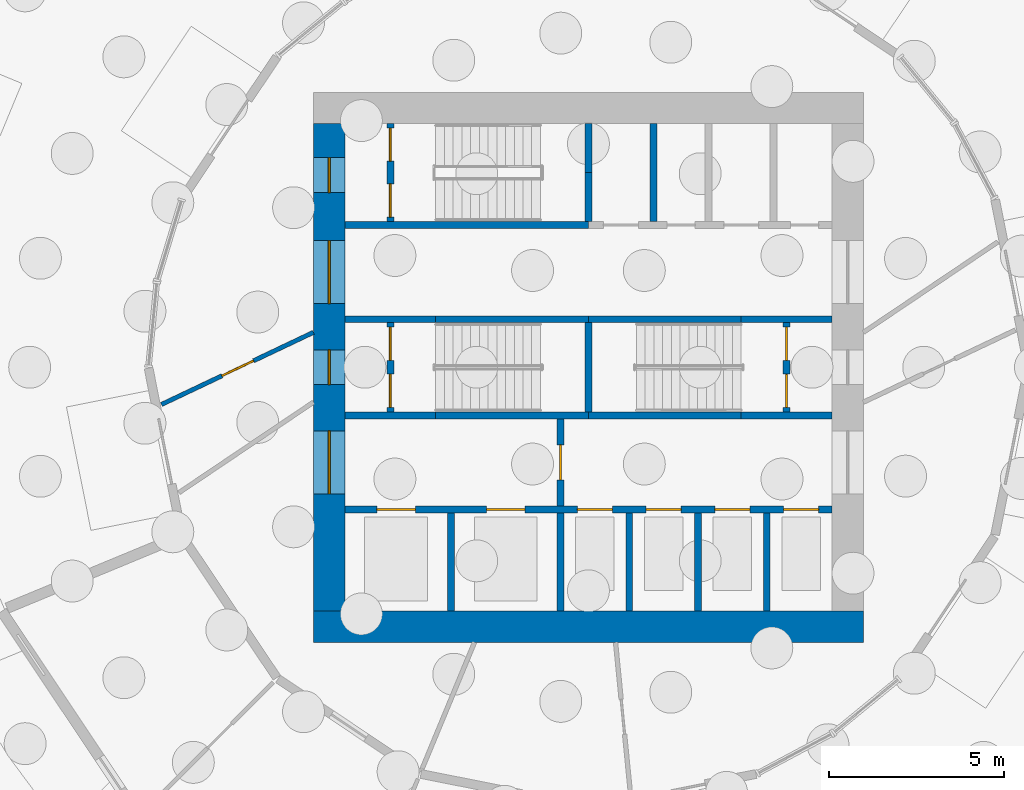
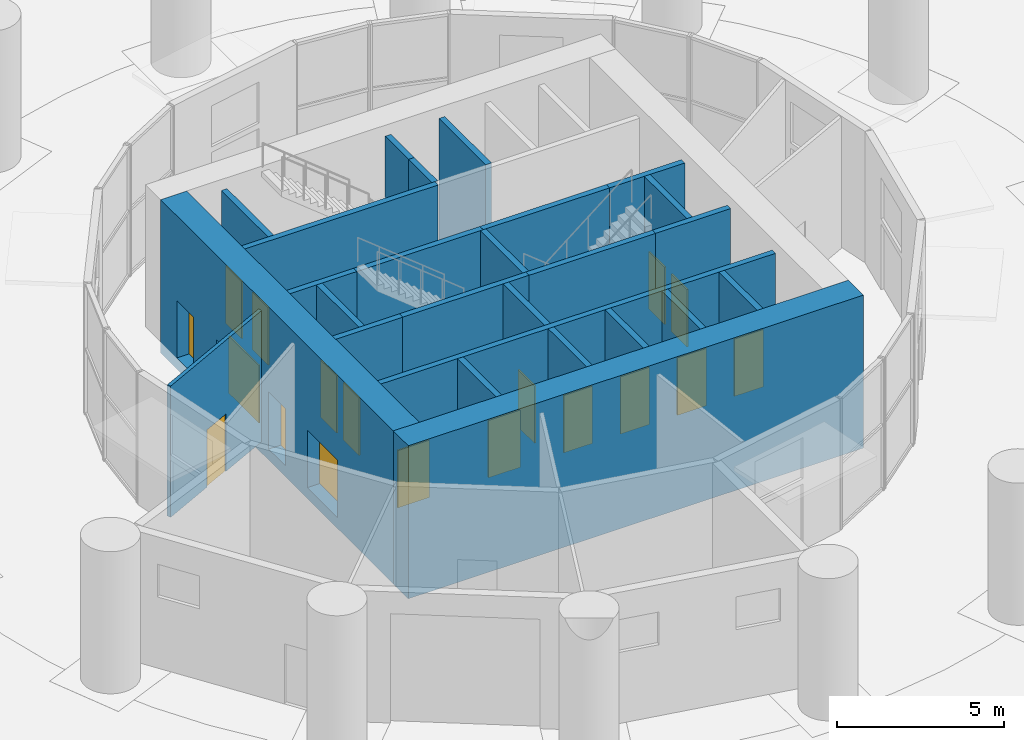
# One storey, part 6 of 10: 26 walls, 18 doors, 18 openings.
"""IFC4 building model written with IfcOpenShell, lengths in metres."""

from ifc_helpers import new_model, si_unit, direction, frame, frame_2d, origin, place, context, subcontext, project, spatial, rectangle, extrude, material, layer, layer_set, type_object, element, fill, save


model = new_model("IFC4")

# Units and contexts
model_context = context("Model", 3, precision=1e-05, world=origin(), true_north=direction((0.0, 1.0)))
body_context = subcontext(model_context, "Body", "Model", "MODEL_VIEW")
ifc_project = project(units=[si_unit("LENGTHUNIT", "METRE"), si_unit("AREAUNIT", "SQUARE_METRE"), si_unit("VOLUMEUNIT", "CUBIC_METRE"), si_unit("PLANEANGLEUNIT", "RADIAN"), si_unit("MASSUNIT", "GRAM", prefix="KILO")], contexts=[model_context])

# Site, building, storey
site_placement = place(None, origin())
site = spatial("IfcSite", under=ifc_project, at=site_placement, CompositionType="ELEMENT")
building_placement = place(site_placement, origin())
building = spatial("IfcBuilding", under=site, at=building_placement, Name="Polderwave Tower", CompositionType="ELEMENT")
storey_placement = place(building_placement, origin())
storey = spatial("IfcBuildingStorey", under=building, at=storey_placement, Name="L00", CompositionType="ELEMENT", Elevation=0.0)

# Wall
ifc_material_1 = material(Name="Concrete C80/95", Category="concrete")
ifc_layer_1 = layer(ifc_material_1, 0.89990234375)
ifc_layer_set_1 = layer_set([ifc_layer_1], Name="CORE WALL 900 C80/95")
wall_type_1 = type_object("IfcWallType", Name="CORE WALL 900 C80/95", PredefinedType="SHEAR", material=ifc_layer_set_1)
wall_1_placement = place(storey_placement, frame((-7.8740234375, -7.424072265625, -0.39990234375), z_axis=(0.0, 0.0, 1.0), x_axis=(1.0, 0.0, 0.0)))
element("IfcWall", 1, at=wall_1_placement, inside=storey, type_object=wall_type_1, Name="ST-CORE-L00-S", PredefinedType="SHEAR", context=body_context, shape_type="SweptSolid", body=[
    extrude(rectangle(XDim=15.748046875, YDim=0.89990234375, at=frame_2d((7.8740234375, 0.0))), origin(), (0.0, 0.0, 1.0), 5.599853515625),
])

# Wall, openings, doors
wall_2_placement = place(storey_placement, frame((-7.424072265625, -6.97412109375, -0.39990234375), z_axis=(0.0, 0.0, 1.0), x_axis=(0.0, 1.0, 0.0)))
wall_2 = element("IfcWall", 2, at=wall_2_placement, inside=storey, type_object=wall_type_1, Name="ST-CORE-L00-W", PredefinedType="SHEAR", context=body_context, shape_type="SweptSolid", body=[
    extrude(rectangle(XDim=13.9482421875, YDim=0.89990234375, at=frame_2d((6.97412109375, 0.0))), origin(), (0.0, 0.0, 1.0), 5.599853515625),
])
opening_1_placement = place(wall_2_placement, frame((6.47412109375, 0.0, 0.39990234375)))
opening_1 = element("IfcOpeningElement", 3, at=opening_1_placement, cuts=wall_2, Name="Opening L00-D18", PredefinedType="OPENING", context=body_context, shape_type="SweptSolid", body=[
    extrude(rectangle(XDim=1.0, YDim=2.10009765625, at=frame_2d((0.5, 1.050048828125))), frame((0.0, 0.4599609375, 0.0), z_axis=(0.0, -1.0, 0.0), x_axis=(1.0, 0.0, 0.0)), (0.0, 0.0, 1.0), 0.919921875),
])
opening_2_placement = place(wall_2_placement, frame((3.349609375, 0.0, 0.39990234375)))
opening_2 = element("IfcOpeningElement", 4, at=opening_2_placement, cuts=wall_2, Name="Opening L00-D19", PredefinedType="OPENING", context=body_context, shape_type="SweptSolid", body=[
    extrude(rectangle(XDim=1.800048828125, YDim=2.10009765625, at=frame_2d((0.89990234375, 1.050048828125))), frame((0.0, 0.4599609375, 0.0), z_axis=(0.0, -1.0, 0.0), x_axis=(1.0, 0.0, 0.0)), (0.0, 0.0, 1.0), 0.919921875),
])
opening_3_placement = place(wall_2_placement, frame((8.798583984375, 0.0, 0.39990234375)))
opening_3 = element("IfcOpeningElement", 5, at=opening_3_placement, cuts=wall_2, Name="Opening L00-D20", PredefinedType="OPENING", context=body_context, shape_type="SweptSolid", body=[
    extrude(rectangle(XDim=1.800048828125, YDim=2.10009765625, at=frame_2d((0.89990234375, 1.050048828125))), frame((0.0, 0.4599609375, 0.0), z_axis=(0.0, -1.0, 0.0), x_axis=(1.0, 0.0, 0.0)), (0.0, 0.0, 1.0), 0.919921875),
])
opening_4_placement = place(wall_2_placement, frame((11.97412109375, 0.0, 0.39990234375)))
opening_4 = element("IfcOpeningElement", 6, at=opening_4_placement, cuts=wall_2, Name="Opening L00-D21", PredefinedType="OPENING", context=body_context, shape_type="SweptSolid", body=[
    extrude(rectangle(XDim=1.0, YDim=2.10009765625, at=frame_2d((0.5, 1.050048828125))), frame((0.0, 0.4599609375, 0.0), z_axis=(0.0, -1.0, 0.0), x_axis=(1.0, 0.0, 0.0)), (0.0, 0.0, 1.0), 0.919921875),
])
ifc_material_2 = material(Name="Steel fire door", Category="steel")
door_type_1 = type_object("IfcDoorType", Name="Lobby entry door pair 1800", OperationType="DOUBLE_DOOR_SINGLE_SWING", PredefinedType="DOOR", material=ifc_material_2)
door_1_placement = place(opening_2_placement, origin())
door_1 = element("IfcDoor", 7, at=door_1_placement, inside=storey, type_object=door_type_1, Name="Fire-fighting lobby entry door", OperationType="DOUBLE_DOOR_SINGLE_SWING", OverallHeight=2.10009765625, OverallWidth=1.800048828125, PredefinedType="DOOR", context=body_context, shape_type="SweptSolid", body=[
    extrude(rectangle(XDim=1.800048828125, YDim=2.10009765625, at=frame_2d((0.89990234375, 1.050048828125))), frame((0.0, 0.02490234375, 0.0), z_axis=(0.0, -1.0, 0.0), x_axis=(1.0, 0.0, 0.0)), (0.0, 0.0, 1.0), 0.050048828125),
])
fill(opening_2, door_1)
door_2_placement = place(opening_3_placement, origin())
door_2 = element("IfcDoor", 8, at=door_2_placement, inside=storey, type_object=door_type_1, Name="North lobby entry door", OperationType="DOUBLE_DOOR_SINGLE_SWING", OverallHeight=2.10009765625, OverallWidth=1.800048828125, PredefinedType="DOOR", context=body_context, shape_type="SweptSolid", body=[
    extrude(rectangle(XDim=1.800048828125, YDim=2.10009765625, at=frame_2d((0.89990234375, 1.050048828125))), frame((0.0, 0.02490234375, 0.0), z_axis=(0.0, -1.0, 0.0), x_axis=(1.0, 0.0, 0.0)), (0.0, 0.0, 1.0), 0.050048828125),
])
fill(opening_3, door_2)
door_type_2 = type_object("IfcDoorType", Name="Stair door 1000", OperationType="NOTDEFINED", PredefinedType="DOOR", material=ifc_material_2)
door_3_placement = place(opening_1_placement, origin())
door_3 = element("IfcDoor", 9, at=door_3_placement, inside=storey, type_object=door_type_2, Name="Stair A entry door", OperationType="SINGLE_SWING_RIGHT", OverallHeight=2.10009765625, OverallWidth=1.0, PredefinedType="DOOR", context=body_context, shape_type="SweptSolid", body=[
    extrude(rectangle(XDim=1.0, YDim=2.10009765625, at=frame_2d((0.5, 1.050048828125))), frame((0.0, 0.02490234375, 0.0), z_axis=(0.0, -1.0, 0.0), x_axis=(1.0, 0.0, 0.0)), (0.0, 0.0, 1.0), 0.050048828125),
])
fill(opening_1, door_3)
door_4_placement = place(opening_4_placement, origin())
door_4 = element("IfcDoor", 10, at=door_4_placement, inside=storey, type_object=door_type_2, Name="Stair C entry door", OperationType="SINGLE_SWING_RIGHT", OverallHeight=2.10009765625, OverallWidth=1.0, PredefinedType="DOOR", context=body_context, shape_type="SweptSolid", body=[
    extrude(rectangle(XDim=1.0, YDim=2.10009765625, at=frame_2d((0.5, 1.050048828125))), frame((0.0, 0.02490234375, 0.0), z_axis=(0.0, -1.0, 0.0), x_axis=(1.0, 0.0, 0.0)), (0.0, 0.0, 1.0), 0.050048828125),
])
fill(opening_4, door_4)

# Wall, opening, door
ifc_material_3 = material(Name="Gypsum board partition")
ifc_layer_2 = layer(ifc_material_3, 0.199951171875)
ifc_layer_set_2 = layer_set([ifc_layer_2], Name="Core room partition 200")
wall_type_2 = type_object("IfcWallType", Name="Core room partition 200", PredefinedType="PARTITIONING", material=ifc_layer_set_2)
wall_3_placement = place(storey_placement, frame((-0.800048828125, -3.97412109375, 0.0), z_axis=(0.0, 0.0, 1.0), x_axis=(0.0, 1.0, 0.0)))
wall_3 = element("IfcWall", 11, at=wall_3_placement, inside=storey, type_object=wall_type_2, Name="L00 fire-fighting lobby wall", PredefinedType="PARTITIONING", context=body_context, shape_type="SweptSolid", body=[
    extrude(rectangle(XDim=2.4990234375, YDim=0.199951171875, at=frame_2d((1.24951171875, 0.0))), origin(), (0.0, 0.0, 1.0), 4.800048828125),
])
opening_5_placement = place(wall_3_placement, frame((0.74951171875, 0.0, 0.0)))
opening_5 = element("IfcOpeningElement", 12, at=opening_5_placement, cuts=wall_3, Name="Opening L00-D13", PredefinedType="OPENING", context=body_context, shape_type="SweptSolid", body=[
    extrude(rectangle(XDim=1.0, YDim=2.10009765625, at=frame_2d((0.5, 1.050048828125))), frame((0.0, 0.10986328125, 0.0), z_axis=(0.0, -1.0, 0.0), x_axis=(1.0, 0.0, 0.0)), (0.0, 0.0, 1.0), 0.219970703125),
])
door_type_3 = type_object("IfcDoorType", Name="Lobby fire door 1000", OperationType="NOTDEFINED", PredefinedType="DOOR", material=ifc_material_2)
door_5_placement = place(opening_5_placement, frame((1.0, 0.0, 0.0), z_axis=(0.0, 0.0, 1.0), x_axis=(-1.0, 0.0, 0.0)))
door_5 = element("IfcDoor", 13, at=door_5_placement, inside=storey, type_object=door_type_3, Name="Fire-fighting lobby door", OperationType="SINGLE_SWING_LEFT", OverallHeight=2.10009765625, OverallWidth=1.0, PredefinedType="DOOR", context=body_context, shape_type="SweptSolid", body=[
    extrude(rectangle(XDim=1.0, YDim=2.10009765625, at=frame_2d((0.5, 1.050048828125))), frame((0.0, 0.02490234375, 0.0), z_axis=(0.0, -1.0, 0.0), x_axis=(1.0, 0.0, 0.0)), (0.0, 0.0, 1.0), 0.050048828125),
])
fill(opening_5, door_5)

# Wall
wall_4_placement = place(storey_placement, frame((1.86083984375, 4.174072265625, 0.0), z_axis=(0.0, 0.0, 1.0), x_axis=(0.0, 1.0, 0.0)))
element("IfcWall", 14, at=wall_4_placement, inside=storey, type_object=wall_type_2, Name="L00 room partition N1", PredefinedType="PARTITIONING", context=body_context, shape_type="SweptSolid", body=[
    extrude(rectangle(XDim=2.800048828125, YDim=0.199951171875, at=frame_2d((1.39990234375, 0.0))), origin(), (0.0, 0.0, 1.0), 4.800048828125),
])

# Wall, openings, doors
wall_5_placement = place(storey_placement, frame((-5.674072265625, -1.27490234375, 0.0), z_axis=(0.0, 0.0, 1.0), x_axis=(0.0, 1.0, 0.0)))
wall_5 = element("IfcWall", 15, at=wall_5_placement, inside=storey, type_object=wall_type_2, Name="L00 smoke lobby wall A", PredefinedType="PARTITIONING", context=body_context, shape_type="SweptSolid", body=[
    extrude(rectangle(XDim=2.5498046875, YDim=0.199951171875, at=frame_2d((1.27490234375, 0.0))), origin(), (0.0, 0.0, 1.0), 4.800048828125),
])
opening_6_placement = place(wall_5_placement, frame((0.125, 0.0, 0.0)))
opening_6 = element("IfcOpeningElement", 16, at=opening_6_placement, cuts=wall_5, Name="Opening L00-D07", PredefinedType="OPENING", context=body_context, shape_type="SweptSolid", body=[
    extrude(rectangle(XDim=0.949951171875, YDim=2.10009765625, at=frame_2d((0.47509765625, 1.050048828125))), frame((0.0, 0.10986328125, 0.0), z_axis=(0.0, -1.0, 0.0), x_axis=(1.0, 0.0, 0.0)), (0.0, 0.0, 1.0), 0.219970703125),
])
opening_7_placement = place(wall_5_placement, frame((1.47509765625, 0.0, 0.0)))
opening_7 = element("IfcOpeningElement", 17, at=opening_7_placement, cuts=wall_5, Name="Opening L00-D08", PredefinedType="OPENING", context=body_context, shape_type="SweptSolid", body=[
    extrude(rectangle(XDim=0.949951171875, YDim=2.10009765625, at=frame_2d((0.47509765625, 1.050048828125))), frame((0.0, 0.10986328125, 0.0), z_axis=(0.0, -1.0, 0.0), x_axis=(1.0, 0.0, 0.0)), (0.0, 0.0, 1.0), 0.219970703125),
])
door_type_4 = type_object("IfcDoorType", Name="Smoke lobby door 950", OperationType="NOTDEFINED", PredefinedType="DOOR", material=ifc_material_2)
door_6_placement = place(opening_6_placement, origin())
door_6 = element("IfcDoor", 18, at=door_6_placement, inside=storey, type_object=door_type_4, Name="Stair A smoke lobby inner door", OperationType="SINGLE_SWING_LEFT", OverallHeight=2.10009765625, OverallWidth=0.949951171875, PredefinedType="DOOR", context=body_context, shape_type="SweptSolid", body=[
    extrude(rectangle(XDim=0.949951171875, YDim=2.10009765625, at=frame_2d((0.47509765625, 1.050048828125))), frame((0.0, 0.02490234375, 0.0), z_axis=(0.0, -1.0, 0.0), x_axis=(1.0, 0.0, 0.0)), (0.0, 0.0, 1.0), 0.050048828125),
])
fill(opening_6, door_6)
door_7_placement = place(opening_7_placement, origin())
door_7 = element("IfcDoor", 19, at=door_7_placement, inside=storey, type_object=door_type_4, Name="Stair A smoke lobby inner door", OperationType="SINGLE_SWING_RIGHT", OverallHeight=2.10009765625, OverallWidth=0.949951171875, PredefinedType="DOOR", context=body_context, shape_type="SweptSolid", body=[
    extrude(rectangle(XDim=0.949951171875, YDim=2.10009765625, at=frame_2d((0.47509765625, 1.050048828125))), frame((0.0, 0.02490234375, 0.0), z_axis=(0.0, -1.0, 0.0), x_axis=(1.0, 0.0, 0.0)), (0.0, 0.0, 1.0), 0.050048828125),
])
fill(opening_7, door_7)

wall_6_placement = place(storey_placement, frame((5.674072265625, -1.27490234375, 0.0), z_axis=(0.0, 0.0, 1.0), x_axis=(0.0, 1.0, 0.0)))
wall_6 = element("IfcWall", 20, at=wall_6_placement, inside=storey, type_object=wall_type_2, Name="L00 smoke lobby wall B", PredefinedType="PARTITIONING", context=body_context, shape_type="SweptSolid", body=[
    extrude(rectangle(XDim=2.5498046875, YDim=0.199951171875, at=frame_2d((1.27490234375, 0.0))), origin(), (0.0, 0.0, 1.0), 4.800048828125),
])
opening_8_placement = place(wall_6_placement, frame((0.125, 0.0, 0.0)))
opening_8 = element("IfcOpeningElement", 21, at=opening_8_placement, cuts=wall_6, Name="Opening L00-D09", PredefinedType="OPENING", context=body_context, shape_type="SweptSolid", body=[
    extrude(rectangle(XDim=0.949951171875, YDim=2.10009765625, at=frame_2d((0.47509765625, 1.050048828125))), frame((0.0, 0.10986328125, 0.0), z_axis=(0.0, -1.0, 0.0), x_axis=(1.0, 0.0, 0.0)), (0.0, 0.0, 1.0), 0.219970703125),
])
opening_9_placement = place(wall_6_placement, frame((1.47509765625, 0.0, 0.0)))
opening_9 = element("IfcOpeningElement", 22, at=opening_9_placement, cuts=wall_6, Name="Opening L00-D10", PredefinedType="OPENING", context=body_context, shape_type="SweptSolid", body=[
    extrude(rectangle(XDim=0.949951171875, YDim=2.10009765625, at=frame_2d((0.47509765625, 1.050048828125))), frame((0.0, 0.10986328125, 0.0), z_axis=(0.0, -1.0, 0.0), x_axis=(1.0, 0.0, 0.0)), (0.0, 0.0, 1.0), 0.219970703125),
])
door_8_placement = place(opening_8_placement, frame((0.949951171875, 0.0, 0.0), z_axis=(0.0, 0.0, 1.0), x_axis=(-1.0, 0.0, 0.0)))
door_8 = element("IfcDoor", 23, at=door_8_placement, inside=storey, type_object=door_type_4, Name="Stair B smoke lobby inner door", OperationType="SINGLE_SWING_RIGHT", OverallHeight=2.10009765625, OverallWidth=0.949951171875, PredefinedType="DOOR", context=body_context, shape_type="SweptSolid", body=[
    extrude(rectangle(XDim=0.949951171875, YDim=2.10009765625, at=frame_2d((0.47509765625, 1.050048828125))), frame((0.0, 0.02490234375, 0.0), z_axis=(0.0, -1.0, 0.0), x_axis=(1.0, 0.0, 0.0)), (0.0, 0.0, 1.0), 0.050048828125),
])
fill(opening_8, door_8)
door_9_placement = place(opening_9_placement, frame((0.949951171875, 0.0, 0.0), z_axis=(0.0, 0.0, 1.0), x_axis=(-1.0, 0.0, 0.0)))
door_9 = element("IfcDoor", 24, at=door_9_placement, inside=storey, type_object=door_type_4, Name="Stair B smoke lobby inner door", OperationType="SINGLE_SWING_LEFT", OverallHeight=2.10009765625, OverallWidth=0.949951171875, PredefinedType="DOOR", context=body_context, shape_type="SweptSolid", body=[
    extrude(rectangle(XDim=0.949951171875, YDim=2.10009765625, at=frame_2d((0.47509765625, 1.050048828125))), frame((0.0, 0.02490234375, 0.0), z_axis=(0.0, -1.0, 0.0), x_axis=(1.0, 0.0, 0.0)), (0.0, 0.0, 1.0), 0.050048828125),
])
fill(opening_9, door_9)

wall_7_placement = place(storey_placement, frame((-5.674072265625, 4.174072265625, 0.0), z_axis=(0.0, 0.0, 1.0), x_axis=(0.0, 1.0, 0.0)))
wall_7 = element("IfcWall", 25, at=wall_7_placement, inside=storey, type_object=wall_type_2, Name="L00 smoke lobby wall C", PredefinedType="PARTITIONING", context=body_context, shape_type="SweptSolid", body=[
    extrude(rectangle(XDim=2.800048828125, YDim=0.199951171875, at=frame_2d((1.39990234375, 0.0))), origin(), (0.0, 0.0, 1.0), 4.800048828125),
])
opening_10_placement = place(wall_7_placement, frame((0.125, 0.0, 0.0)))
opening_10 = element("IfcOpeningElement", 26, at=opening_10_placement, cuts=wall_7, Name="Opening L00-D11", PredefinedType="OPENING", context=body_context, shape_type="SweptSolid", body=[
    extrude(rectangle(XDim=0.949951171875, YDim=2.10009765625, at=frame_2d((0.47509765625, 1.050048828125))), frame((0.0, 0.10986328125, 0.0), z_axis=(0.0, -1.0, 0.0), x_axis=(1.0, 0.0, 0.0)), (0.0, 0.0, 1.0), 0.219970703125),
])
opening_11_placement = place(wall_7_placement, frame((1.72509765625, 0.0, 0.0)))
opening_11 = element("IfcOpeningElement", 27, at=opening_11_placement, cuts=wall_7, Name="Opening L00-D12", PredefinedType="OPENING", context=body_context, shape_type="SweptSolid", body=[
    extrude(rectangle(XDim=0.949951171875, YDim=2.10009765625, at=frame_2d((0.47509765625, 1.050048828125))), frame((0.0, 0.10986328125, 0.0), z_axis=(0.0, -1.0, 0.0), x_axis=(1.0, 0.0, 0.0)), (0.0, 0.0, 1.0), 0.219970703125),
])
door_10_placement = place(opening_10_placement, origin())
door_10 = element("IfcDoor", 28, at=door_10_placement, inside=storey, type_object=door_type_4, Name="Stair C smoke lobby inner door", OperationType="SINGLE_SWING_LEFT", OverallHeight=2.10009765625, OverallWidth=0.949951171875, PredefinedType="DOOR", context=body_context, shape_type="SweptSolid", body=[
    extrude(rectangle(XDim=0.949951171875, YDim=2.10009765625, at=frame_2d((0.47509765625, 1.050048828125))), frame((0.0, 0.02490234375, 0.0), z_axis=(0.0, -1.0, 0.0), x_axis=(1.0, 0.0, 0.0)), (0.0, 0.0, 1.0), 0.050048828125),
])
fill(opening_10, door_10)
door_11_placement = place(opening_11_placement, origin())
door_11 = element("IfcDoor", 29, at=door_11_placement, inside=storey, type_object=door_type_4, Name="Stair C smoke lobby inner door", OperationType="SINGLE_SWING_RIGHT", OverallHeight=2.10009765625, OverallWidth=0.949951171875, PredefinedType="DOOR", context=body_context, shape_type="SweptSolid", body=[
    extrude(rectangle(XDim=0.949951171875, YDim=2.10009765625, at=frame_2d((0.47509765625, 1.050048828125))), frame((0.0, 0.02490234375, 0.0), z_axis=(0.0, -1.0, 0.0), x_axis=(1.0, 0.0, 0.0)), (0.0, 0.0, 1.0), 0.050048828125),
])
fill(opening_11, door_11)

ifc_material_4 = material(Name="Concrete C50/60", Category="concrete")
ifc_layer_3 = layer(ifc_material_4, 0.199951171875)
ifc_layer_set_3 = layer_set([ifc_layer_3], Name="Core web wall 200")
wall_type_3 = type_object("IfcWallType", Name="Core web wall 200", PredefinedType="SHEAR", material=ifc_layer_set_3)
wall_8_placement = place(storey_placement, frame((-6.97412109375, -4.073974609375, 0.0), z_axis=(0.0, 0.0, 1.0), x_axis=(1.0, 0.0, 0.0)))
wall_8 = element("IfcWall", 30, at=wall_8_placement, inside=storey, type_object=wall_type_3, Name="L00 south front wall", PredefinedType="SHEAR", context=body_context, shape_type="SweptSolid", body=[
    extrude(rectangle(XDim=13.9482421875, YDim=0.199951171875, at=frame_2d((6.97412109375, 0.0))), origin(), (0.0, 0.0, 1.0), 4.800048828125),
])
opening_12_placement = place(wall_8_placement, frame((0.91845703125, 0.0, 0.0)))
opening_12 = element("IfcOpeningElement", 31, at=opening_12_placement, cuts=wall_8, Name="Opening L00-D01", PredefinedType="OPENING", context=body_context, shape_type="SweptSolid", body=[
    extrude(rectangle(XDim=1.10009765625, YDim=2.10009765625, at=frame_2d((0.550048828125, 1.050048828125))), frame((0.0, 0.10986328125, 0.0), z_axis=(0.0, -1.0, 0.0), x_axis=(1.0, 0.0, 0.0)), (0.0, 0.0, 1.0), 0.219970703125),
])
opening_13_placement = place(wall_8_placement, frame((4.055419921875, 0.0, 0.0)))
opening_13 = element("IfcOpeningElement", 32, at=opening_13_placement, cuts=wall_8, Name="Opening L00-D02", PredefinedType="OPENING", context=body_context, shape_type="SweptSolid", body=[
    extrude(rectangle(XDim=1.10009765625, YDim=2.10009765625, at=frame_2d((0.550048828125, 1.050048828125))), frame((0.0, 0.10986328125, 0.0), z_axis=(0.0, -1.0, 0.0), x_axis=(1.0, 0.0, 0.0)), (0.0, 0.0, 1.0), 0.219970703125),
])
opening_14_placement = place(wall_8_placement, frame((6.658203125, 0.0, 0.0)))
opening_14 = element("IfcOpeningElement", 33, at=opening_14_placement, cuts=wall_8, Name="Opening L00-D03", PredefinedType="OPENING", context=body_context, shape_type="SweptSolid", body=[
    extrude(rectangle(XDim=1.0, YDim=2.10009765625, at=frame_2d((0.5, 1.050048828125))), frame((0.0, 0.10986328125, 0.0), z_axis=(0.0, -1.0, 0.0), x_axis=(1.0, 0.0, 0.0)), (0.0, 0.0, 1.0), 0.219970703125),
])
opening_15_placement = place(wall_8_placement, frame((8.626708984375, 0.0, 0.0)))
opening_15 = element("IfcOpeningElement", 34, at=opening_15_placement, cuts=wall_8, Name="Opening L00-D04", PredefinedType="OPENING", context=body_context, shape_type="SweptSolid", body=[
    extrude(rectangle(XDim=1.0, YDim=2.10009765625, at=frame_2d((0.5, 1.050048828125))), frame((0.0, 0.10986328125, 0.0), z_axis=(0.0, -1.0, 0.0), x_axis=(1.0, 0.0, 0.0)), (0.0, 0.0, 1.0), 0.219970703125),
])
opening_16_placement = place(wall_8_placement, frame((10.59521484375, 0.0, 0.0)))
opening_16 = element("IfcOpeningElement", 35, at=opening_16_placement, cuts=wall_8, Name="Opening L00-D05", PredefinedType="OPENING", context=body_context, shape_type="SweptSolid", body=[
    extrude(rectangle(XDim=1.0, YDim=2.10009765625, at=frame_2d((0.5, 1.050048828125))), frame((0.0, 0.10986328125, 0.0), z_axis=(0.0, -1.0, 0.0), x_axis=(1.0, 0.0, 0.0)), (0.0, 0.0, 1.0), 0.219970703125),
])
opening_17_placement = place(wall_8_placement, frame((12.563720703125, 0.0, 0.0)))
opening_17 = element("IfcOpeningElement", 36, at=opening_17_placement, cuts=wall_8, Name="Opening L00-D06", PredefinedType="OPENING", context=body_context, shape_type="SweptSolid", body=[
    extrude(rectangle(XDim=1.0, YDim=2.10009765625, at=frame_2d((0.5, 1.050048828125))), frame((0.0, 0.10986328125, 0.0), z_axis=(0.0, -1.0, 0.0), x_axis=(1.0, 0.0, 0.0)), (0.0, 0.0, 1.0), 0.219970703125),
])
ifc_material_5 = material(Name="Stainless steel", Category="steel")
door_type_5 = type_object("IfcDoorType", Name="Fire-fighting lift landing door 1100", OperationType="DOUBLE_DOOR_SLIDING", PredefinedType="DOOR", material=ifc_material_5)
door_12_placement = place(opening_12_placement, origin())
door_12 = element("IfcDoor", 37, at=door_12_placement, inside=storey, type_object=door_type_5, Name="Fire-fighting lift FF1 landing door", OperationType="DOUBLE_DOOR_SLIDING", OverallHeight=2.10009765625, OverallWidth=1.10009765625, PredefinedType="DOOR", context=body_context, shape_type="SweptSolid", body=[
    extrude(rectangle(XDim=1.10009765625, YDim=2.10009765625, at=frame_2d((0.550048828125, 1.050048828125))), frame((0.0, 0.02490234375, 0.0), z_axis=(0.0, -1.0, 0.0), x_axis=(1.0, 0.0, 0.0)), (0.0, 0.0, 1.0), 0.050048828125),
])
fill(opening_12, door_12)
door_13_placement = place(opening_13_placement, origin())
door_13 = element("IfcDoor", 38, at=door_13_placement, inside=storey, type_object=door_type_5, Name="Fire-fighting lift FF2 landing door", OperationType="DOUBLE_DOOR_SLIDING", OverallHeight=2.10009765625, OverallWidth=1.10009765625, PredefinedType="DOOR", context=body_context, shape_type="SweptSolid", body=[
    extrude(rectangle(XDim=1.10009765625, YDim=2.10009765625, at=frame_2d((0.550048828125, 1.050048828125))), frame((0.0, 0.02490234375, 0.0), z_axis=(0.0, -1.0, 0.0), x_axis=(1.0, 0.0, 0.0)), (0.0, 0.0, 1.0), 0.050048828125),
])
fill(opening_13, door_13)
door_type_6 = type_object("IfcDoorType", Name="Lift landing door 1000", OperationType="DOUBLE_DOOR_SLIDING", PredefinedType="DOOR", material=ifc_material_5)
door_14_placement = place(opening_14_placement, origin())
door_14 = element("IfcDoor", 39, at=door_14_placement, inside=storey, type_object=door_type_6, Name="Lift LL1 landing door", OperationType="DOUBLE_DOOR_SLIDING", OverallHeight=2.10009765625, OverallWidth=1.0, PredefinedType="DOOR", context=body_context, shape_type="SweptSolid", body=[
    extrude(rectangle(XDim=1.0, YDim=2.10009765625, at=frame_2d((0.5, 1.050048828125))), frame((0.0, 0.02490234375, 0.0), z_axis=(0.0, -1.0, 0.0), x_axis=(1.0, 0.0, 0.0)), (0.0, 0.0, 1.0), 0.050048828125),
])
fill(opening_14, door_14)
door_15_placement = place(opening_15_placement, origin())
door_15 = element("IfcDoor", 40, at=door_15_placement, inside=storey, type_object=door_type_6, Name="Lift LL2 landing door", OperationType="DOUBLE_DOOR_SLIDING", OverallHeight=2.10009765625, OverallWidth=1.0, PredefinedType="DOOR", context=body_context, shape_type="SweptSolid", body=[
    extrude(rectangle(XDim=1.0, YDim=2.10009765625, at=frame_2d((0.5, 1.050048828125))), frame((0.0, 0.02490234375, 0.0), z_axis=(0.0, -1.0, 0.0), x_axis=(1.0, 0.0, 0.0)), (0.0, 0.0, 1.0), 0.050048828125),
])
fill(opening_15, door_15)
door_16_placement = place(opening_16_placement, origin())
door_16 = element("IfcDoor", 41, at=door_16_placement, inside=storey, type_object=door_type_6, Name="Lift LL3 landing door", OperationType="DOUBLE_DOOR_SLIDING", OverallHeight=2.10009765625, OverallWidth=1.0, PredefinedType="DOOR", context=body_context, shape_type="SweptSolid", body=[
    extrude(rectangle(XDim=1.0, YDim=2.10009765625, at=frame_2d((0.5, 1.050048828125))), frame((0.0, 0.02490234375, 0.0), z_axis=(0.0, -1.0, 0.0), x_axis=(1.0, 0.0, 0.0)), (0.0, 0.0, 1.0), 0.050048828125),
])
fill(opening_16, door_16)
door_17_placement = place(opening_17_placement, origin())
door_17 = element("IfcDoor", 42, at=door_17_placement, inside=storey, type_object=door_type_6, Name="Lift LL4 landing door", OperationType="DOUBLE_DOOR_SLIDING", OverallHeight=2.10009765625, OverallWidth=1.0, PredefinedType="DOOR", context=body_context, shape_type="SweptSolid", body=[
    extrude(rectangle(XDim=1.0, YDim=2.10009765625, at=frame_2d((0.5, 1.050048828125))), frame((0.0, 0.02490234375, 0.0), z_axis=(0.0, -1.0, 0.0), x_axis=(1.0, 0.0, 0.0)), (0.0, 0.0, 1.0), 0.050048828125),
])
fill(opening_17, door_17)

# Walls
wall_9_placement = place(storey_placement, frame((-6.97412109375, 4.073974609375, 0.0), z_axis=(0.0, 0.0, 1.0), x_axis=(1.0, 0.0, 0.0)))
element("IfcWall", 43, at=wall_9_placement, inside=storey, type_object=wall_type_3, Name="L00 north front wall 1", PredefinedType="SHEAR", context=body_context, shape_type="SweptSolid", body=[
    extrude(rectangle(XDim=6.97412109375, YDim=0.199951171875, at=frame_2d((3.487060546875, 0.0))), origin(), (0.0, 0.0, 1.0), 4.800048828125),
])
wall_10_placement = place(storey_placement, frame((-6.97412109375, -1.375, 0.0), z_axis=(0.0, 0.0, 1.0), x_axis=(1.0, 0.0, 0.0)))
element("IfcWall", 44, at=wall_10_placement, inside=storey, type_object=wall_type_3, Name="L00 south stair wall 1", PredefinedType="SHEAR", context=body_context, shape_type="SweptSolid", body=[
    extrude(rectangle(XDim=2.60009765625, YDim=0.199951171875, at=frame_2d((1.300048828125, 0.0))), origin(), (0.0, 0.0, 1.0), 4.800048828125),
])
for number, where, z_axis, x_axis, name in (
    (45, (-4.3740234375, -1.375, 0.0), (0.0, 0.0, 1.0), (1.0, 0.0, 0.0), "L00 south stair wall 2"),
    (46, (0.0, -1.375, 0.0), (0.0, 0.0, 1.0), (1.0, 0.0, 0.0), "L00 south stair wall 3"),
):
    element("IfcWall", number, at=place(storey_placement, frame(where, z_axis=z_axis, x_axis=x_axis)), inside=storey, type_object=wall_type_3, Name=name, PredefinedType="SHEAR", context=body_context, shape_type="SweptSolid", body=[
        extrude(rectangle(XDim=4.3740234375, YDim=0.199951171875, at=frame_2d((2.18701171875, 0.0))), origin(), (0.0, 0.0, 1.0), 4.800048828125),
    ])
for number, where, z_axis, x_axis, name in (
    (47, (4.3740234375, -1.375, 0.0), (0.0, 0.0, 1.0), (1.0, 0.0, 0.0), "L00 south stair wall 4"),
    (48, (-6.97412109375, 1.375, 0.0), (0.0, 0.0, 1.0), (1.0, 0.0, 0.0), "L00 north stair wall 1"),
):
    element("IfcWall", number, at=place(storey_placement, frame(where, z_axis=z_axis, x_axis=x_axis)), inside=storey, type_object=wall_type_3, Name=name, PredefinedType="SHEAR", context=body_context, shape_type="SweptSolid", body=[
        extrude(rectangle(XDim=2.60009765625, YDim=0.199951171875, at=frame_2d((1.300048828125, 0.0))), origin(), (0.0, 0.0, 1.0), 4.800048828125),
    ])
for number, where, z_axis, x_axis, name in (
    (49, (-4.3740234375, 1.375, 0.0), (0.0, 0.0, 1.0), (1.0, 0.0, 0.0), "L00 north stair wall 2"),
    (50, (0.0, 1.375, 0.0), (0.0, 0.0, 1.0), (1.0, 0.0, 0.0), "L00 north stair wall 3"),
):
    element("IfcWall", number, at=place(storey_placement, frame(where, z_axis=z_axis, x_axis=x_axis)), inside=storey, type_object=wall_type_3, Name=name, PredefinedType="SHEAR", context=body_context, shape_type="SweptSolid", body=[
        extrude(rectangle(XDim=4.3740234375, YDim=0.199951171875, at=frame_2d((2.18701171875, 0.0))), origin(), (0.0, 0.0, 1.0), 4.800048828125),
    ])
wall_11_placement = place(storey_placement, frame((4.3740234375, 1.375, 0.0), z_axis=(0.0, 0.0, 1.0), x_axis=(1.0, 0.0, 0.0)))
element("IfcWall", 51, at=wall_11_placement, inside=storey, type_object=wall_type_3, Name="L00 north stair wall 4", PredefinedType="SHEAR", context=body_context, shape_type="SweptSolid", body=[
    extrude(rectangle(XDim=2.60009765625, YDim=0.199951171875, at=frame_2d((1.300048828125, 0.0))), origin(), (0.0, 0.0, 1.0), 4.800048828125),
])
wall_12_placement = place(storey_placement, frame((0.0, -1.27490234375, 0.0), z_axis=(0.0, 0.0, 1.0), x_axis=(0.0, 1.0, 0.0)))
element("IfcWall", 52, at=wall_12_placement, inside=storey, type_object=wall_type_3, Name="L00 wall between the stairs", PredefinedType="SHEAR", context=body_context, shape_type="SweptSolid", body=[
    extrude(rectangle(XDim=2.5498046875, YDim=0.199951171875, at=frame_2d((1.27490234375, 0.0))), origin(), (0.0, 0.0, 1.0), 4.800048828125),
])
wall_13_placement = place(storey_placement, frame((0.0, 4.174072265625, 0.0), z_axis=(0.0, 0.0, 1.0), x_axis=(0.0, 1.0, 0.0)))
element("IfcWall", 53, at=wall_13_placement, inside=storey, type_object=wall_type_3, Name="L00 stair C wall south", PredefinedType="SHEAR", context=body_context, shape_type="SweptSolid", body=[
    extrude(rectangle(XDim=1.39990234375, YDim=0.199951171875, at=frame_2d((0.699951171875, 0.0))), origin(), (0.0, 0.0, 1.0), 4.800048828125),
])
wall_14_placement = place(storey_placement, frame((0.0, 5.573974609375, 0.0), z_axis=(0.0, 0.0, 1.0), x_axis=(0.0, 1.0, 0.0)))
element("IfcWall", 54, at=wall_14_placement, inside=storey, type_object=wall_type_3, Name="L00 stair C wall north", PredefinedType="SHEAR", context=body_context, shape_type="SweptSolid", body=[
    extrude(rectangle(XDim=1.400146484375, YDim=0.199951171875, at=frame_2d((0.7001953125, 0.0))), origin(), (0.0, 0.0, 1.0), 4.800048828125),
])

# Wall, opening, door
ifc_material_6 = material(Name="Fire-resisting board on steel studs", Category="steel")
ifc_layer_4 = layer(ifc_material_6, 0.125)
ifc_layer_set_4 = layer_set([ifc_layer_4], Name="Corridor wall 125 mm EI 60")
wall_type_4 = type_object("IfcWallType", Name="Corridor wall 125 mm EI 60", PredefinedType="PARTITIONING", material=ifc_layer_set_4)
wall_15_placement = place(storey_placement, frame((-7.8740234375, 1.0, 0.0), z_axis=(0.0, 0.0, 1.0), x_axis=(-0.90340417802, -0.428790031527, 0.0)))
wall_15 = element("IfcWall", 55, at=wall_15_placement, inside=storey, type_object=wall_type_4, Name="IN-L00-W002", PredefinedType="PARTITIONING", context=body_context, shape_type="SweptSolid", body=[
    extrude(rectangle(XDim=4.81640625, YDim=0.125, at=frame_2d((2.408203125, 0.0))), origin(), (0.0, 0.0, 1.0), 4.800048828125),
])
opening_18_placement = place(wall_15_placement, frame((1.89990234375, 0.0, 0.0)))
opening_18 = element("IfcOpeningElement", 56, at=opening_18_placement, cuts=wall_15, Name="Opening L00-D50", PredefinedType="OPENING", context=body_context, shape_type="SweptSolid", body=[
    extrude(rectangle(XDim=1.0, YDim=2.10009765625, at=frame_2d((0.5, 1.050048828125))), frame((0.0, 0.072509765625, 0.0), z_axis=(0.0, -1.0, 0.0), x_axis=(1.0, 0.0, 0.0)), (0.0, 0.0, 1.0), 0.14501953125),
])
ifc_material_7 = material(Name="Timber fire door leaf", Category="wood")
door_type_7 = type_object("IfcDoorType", Name="Fire door FD30S 1000 x 2100", OperationType="NOTDEFINED", PredefinedType="DOOR", material=ifc_material_7)
door_18_placement = place(opening_18_placement, origin())
door_18 = element("IfcDoor", 57, at=door_18_placement, inside=storey, type_object=door_type_7, Name="Door L00-D50", OperationType="SINGLE_SWING_LEFT", OverallHeight=2.10009765625, OverallWidth=1.0, PredefinedType="DOOR", context=body_context, shape_type="SweptSolid", body=[
    extrude(rectangle(XDim=1.0, YDim=2.10009765625, at=frame_2d((0.5, 1.050048828125))), frame((0.0, 0.02490234375, 0.0), z_axis=(0.0, -1.0, 0.0), x_axis=(1.0, 0.0, 0.0)), (0.0, 0.0, 1.0), 0.050048828125),
])
fill(opening_18, door_18)

# Walls
ifc_material_8 = material(Name="Gypsum shaft wall system")
ifc_layer_5 = layer(ifc_material_8, 0.199951171875)
ifc_layer_set_5 = layer_set([ifc_layer_5], Name="Shaft wall 200")
wall_type_5 = type_object("IfcWallType", Name="Shaft wall 200", PredefinedType="PARTITIONING", material=ifc_layer_set_5)
for number, where, z_axis, x_axis, name in (
    (58, (-3.93701171875, -6.97412109375, 0.0), (0.0, 0.0, 1.0), (0.0, 1.0, 0.0), "L00 fire-fighting shaft wall 1"),
    (59, (-0.800048828125, -6.97412109375, 0.0), (0.0, 0.0, 1.0), (0.0, 1.0, 0.0), "L00 fire-fighting shaft wall 2"),
    (60, (1.16845703125, -6.97412109375, 0.0), (0.0, 0.0, 1.0), (0.0, 1.0, 0.0), "L00 lift shaft wall 1"),
    (61, (3.136962890625, -6.97412109375, 0.0), (0.0, 0.0, 1.0), (0.0, 1.0, 0.0), "L00 lift shaft wall 2"),
    (62, (5.10546875, -6.97412109375, 0.0), (0.0, 0.0, 1.0), (0.0, 1.0, 0.0), "L00 lift shaft wall 3"),
):
    element("IfcWall", number, at=place(storey_placement, frame(where, z_axis=z_axis, x_axis=x_axis)), inside=storey, type_object=wall_type_5, Name=name, PredefinedType="PARTITIONING", context=body_context, shape_type="SweptSolid", body=[
        extrude(rectangle(XDim=2.800048828125, YDim=0.199951171875, at=frame_2d((1.39990234375, 0.0))), origin(), (0.0, 0.0, 1.0), 4.800048828125),
    ])

save(model, "model.ifc")
